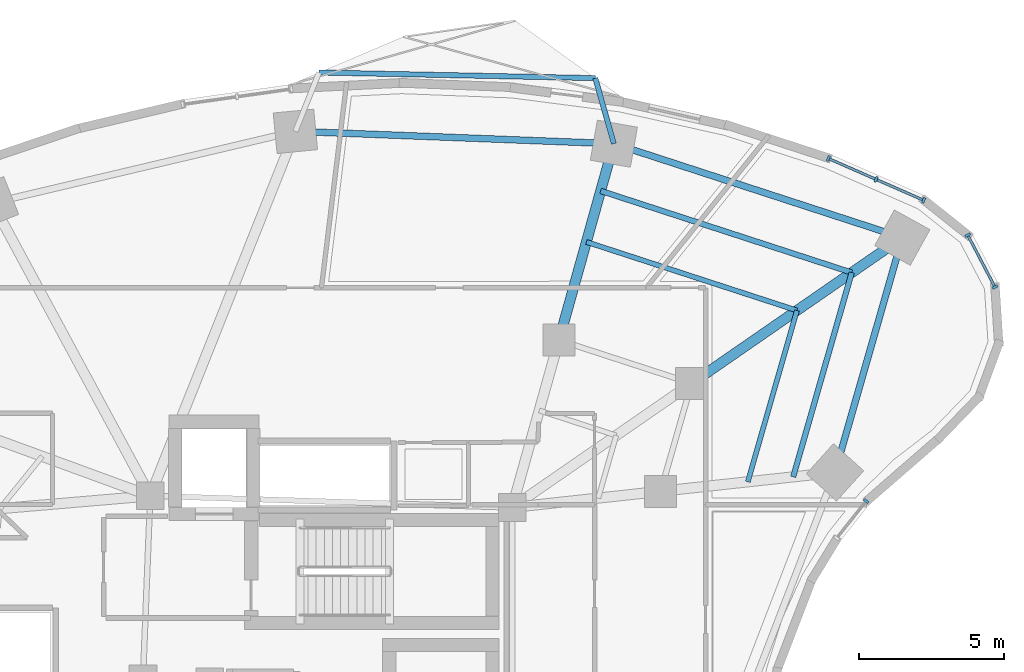
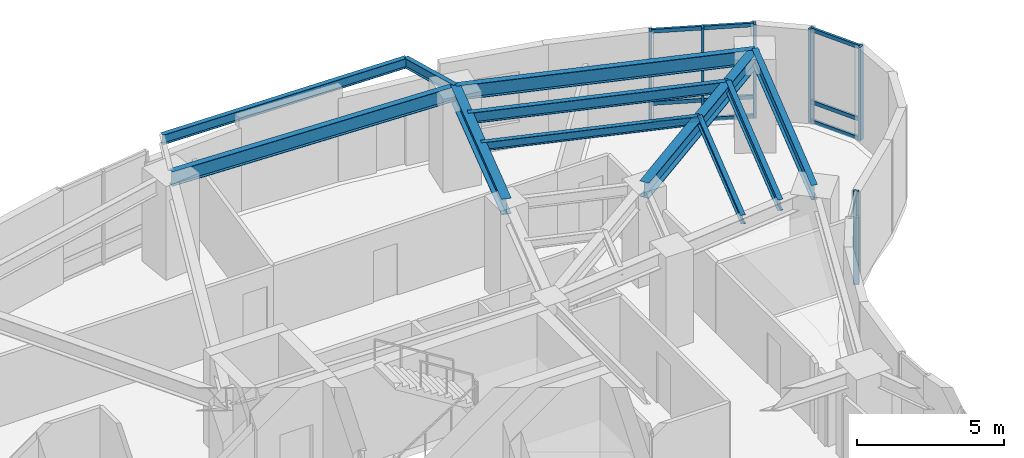
# One storey, part 6 of 16: 15 members, 11 beams, 3 elements without a shape of their own.
"""IFC4 building model written with IfcOpenShell, lengths in metres."""

from ifc_helpers import new_model, si_unit, direction, frame, origin, origin_2d, place, context, subcontext, project, spatial, rectangle, i_section, extrude, material, layer, layer_set, material_profile, profile_set, type_object, element, aggregate, save


model = new_model("IFC4")

# Units and contexts
model_context = context("Model", 3, precision=1e-05, world=origin(), true_north=direction((0.0, 1.0)))
body_context = subcontext(model_context, "Body", "Model", "MODEL_VIEW")
ifc_project = project(units=[si_unit("LENGTHUNIT", "METRE"), si_unit("AREAUNIT", "SQUARE_METRE"), si_unit("VOLUMEUNIT", "CUBIC_METRE"), si_unit("PLANEANGLEUNIT", "RADIAN"), si_unit("MASSUNIT", "GRAM", prefix="KILO")], contexts=[model_context])

# Site, building, storey
site_placement = place(None, origin())
site = spatial("IfcSite", under=ifc_project, at=site_placement, CompositionType="ELEMENT")
building_placement = place(site_placement, origin())
building = spatial("IfcBuilding", under=site, at=building_placement, Name="Korentha Bioscience Tower", CompositionType="ELEMENT")
storey_placement = place(building_placement, frame((0.0, 0.0, 59.39990234375)))
storey = spatial("IfcBuildingStorey", under=building, at=storey_placement, Name="L13", CompositionType="ELEMENT", Elevation=59.39990234375)

# Curtain wall, members
ifc_material_1 = material(Name="Thermally Broken Aluminium Frame", Category="aluminium")
ifc_layer = layer(ifc_material_1, 0.219970703125, Name="Thermally Broken Aluminium Frame")
ifc_layer_set = layer_set([ifc_layer], Name="Thermally Broken Aluminium Frame (CW-T1)")
curtain_wall_type = type_object("IfcCurtainWallType", Name="Standard Bioscience Lab Unitised Curtain Wall CW-T1", PredefinedType="USERDEFINED", material=ifc_layer_set)
curtain_wall_1_placement = place(storey_placement, origin())
curtain_wall_1 = element("IfcCurtainWall", 1, at=curtain_wall_1_placement, inside=storey, type_object=curtain_wall_type, Name="L13 Curtain Wall 01", ObjectType="UNITISED", PredefinedType="USERDEFINED")
ifc_material_2 = material(Name="Anodised Aluminium 6063-T6", Category="aluminium")
ifc_material_profile_1 = material_profile(ifc_material_2, rectangle(XDim=0.090087890625, YDim=0.199951171875, at=origin_2d()), Name="Anodised Aluminium 6063-T6")
ifc_profile_set_1 = profile_set([ifc_material_profile_1], Name="Anodised Aluminium 6063-T6 (CW-MUL)")
member_type_1 = type_object("IfcMemberType", Name="Mullion RECT 90x200", PredefinedType="MULLION", material=ifc_profile_set_1)
member_1_placement = place(storey_placement, frame((51.71337890625, 46.420654296875, 0.0), z_axis=(0.0, 0.0, 1.0), x_axis=(-0.91593909057, 0.401317308828, 0.0)))
member_1 = element("IfcMember", 2, at=member_1_placement, type_object=member_type_1, Name="CW-L13-01 Mullion 1", PredefinedType="MULLION", context=body_context, shape_type="SweptSolid", body=[
    extrude(rectangle(XDim=0.090087890625, YDim=0.199951171875, at=origin_2d()), origin(), (0.0, 0.0, 1.0), 3.900146484375),
])
member_2_placement = place(storey_placement, frame((50.072998046875, 47.139404296875, 0.0), z_axis=(0.0, 0.0, 1.0), x_axis=(-0.91593909057, 0.401317308828, 0.0)))
member_2 = element("IfcMember", 3, at=member_2_placement, type_object=member_type_1, Name="CW-L13-01 Mullion 2", PredefinedType="MULLION", context=body_context, shape_type="SweptSolid", body=[
    extrude(rectangle(XDim=0.090087890625, YDim=0.199951171875, at=origin_2d()), origin(), (0.0, 0.0, 1.0), 3.900146484375),
])
member_3_placement = place(storey_placement, frame((48.43212890625, 47.8583984375, 0.0), z_axis=(0.0, 0.0, 1.0), x_axis=(-0.91593909057, 0.401317308828, 0.0)))
member_3 = element("IfcMember", 4, at=member_3_placement, type_object=member_type_1, Name="CW-L13-01 Mullion 3", PredefinedType="MULLION", context=body_context, shape_type="SweptSolid", body=[
    extrude(rectangle(XDim=0.090087890625, YDim=0.199951171875, at=origin_2d()), origin(), (0.0, 0.0, 1.0), 3.900146484375),
])

# Curtain wall, member
curtain_wall_2_placement = place(storey_placement, origin())
curtain_wall_2 = element("IfcCurtainWall", 5, at=curtain_wall_2_placement, inside=storey, type_object=curtain_wall_type, Name="L13 Curtain Wall 55", ObjectType="UNITISED", PredefinedType="USERDEFINED")
member_4_placement = place(storey_placement, frame((49.73291015625, 36.072021484375, 0.0), z_axis=(0.0, 0.0, 1.0), x_axis=(0.622520324648, 0.782603632371, 0.0)))
member_4 = element("IfcMember", 6, at=member_4_placement, type_object=member_type_1, Name="CW-L13-55 Mullion 2", PredefinedType="MULLION", context=body_context, shape_type="SweptSolid", body=[
    extrude(rectangle(XDim=0.090087890625, YDim=0.199951171875, at=origin_2d()), origin(), (0.0, 0.0, 1.0), 3.900146484375),
])
aggregate(curtain_wall_2, [member_4])

# Curtain wall, members
curtain_wall_3_placement = place(storey_placement, origin())
curtain_wall_3 = element("IfcCurtainWall", 7, at=curtain_wall_3_placement, inside=storey, type_object=curtain_wall_type, Name="L13 Curtain Wall 61", ObjectType="UNITISED", PredefinedType="USERDEFINED")
member_5_placement = place(storey_placement, frame((54.163330078125, 43.435302734375, 0.0), z_axis=(0.0, 0.0, 1.0), x_axis=(-0.463008597697, 0.886353788539, 0.0)))
member_5 = element("IfcMember", 8, at=member_5_placement, type_object=member_type_1, Name="CW-L13-61 Mullion 1", PredefinedType="MULLION", context=body_context, shape_type="SweptSolid", body=[
    extrude(rectangle(XDim=0.090087890625, YDim=0.199951171875, at=origin_2d()), origin(), (0.0, 0.0, 1.0), 3.900146484375),
])
member_6_placement = place(storey_placement, frame((53.22900390625, 45.2236328125, 0.0), z_axis=(0.0, 0.0, 1.0), x_axis=(-0.463008597697, 0.886353788539, 0.0)))
member_6 = element("IfcMember", 9, at=member_6_placement, type_object=member_type_1, Name="CW-L13-61 Mullion 2", PredefinedType="MULLION", context=body_context, shape_type="SweptSolid", body=[
    extrude(rectangle(XDim=0.090087890625, YDim=0.199951171875, at=origin_2d()), origin(), (0.0, 0.0, 1.0), 3.900146484375),
])

# Beams
ifc_material_3 = material(Name="Steel S355", Category="steel")
ifc_material_profile_2 = material_profile(ifc_material_3, i_section(OverallWidth=0.22802734375, OverallDepth=0.60791015625, WebThickness=0.01123046875, FlangeThickness=0.017333984375, at=origin_2d()), Name="Steel S355")
ifc_profile_set_2 = profile_set([ifc_material_profile_2], Name="Steel S355 (SB-610)")
beam_type_1 = type_object("IfcBeamType", Name="Perimeter Ring Spandrel Girder W610x113", PredefinedType="SPANDREL", material=ifc_profile_set_2)
beam_1_placement = place(storey_placement, frame((50.977294921875, 45.135498046875, 3.59619140625), z_axis=(-0.95087511444, 0.309574735305, 0.0), x_axis=(-0.309574735305, -0.95087511444, 0.0)))
element("IfcBeam", 10, at=beam_1_placement, inside=storey, type_object=beam_type_1, Name="L13 Perimeter Spandrel Girder 01", PredefinedType="SPANDREL", context=body_context, shape_type="SweptSolid", body=[
    extrude(i_section(OverallWidth=0.22802734375, OverallDepth=0.60791015625, WebThickness=0.01123046875, FlangeThickness=0.017333984375, at=origin_2d()), origin(), (0.0, 0.0, 1.0), 10.4375),
])
beam_2_placement = place(storey_placement, frame((41.052490234375, 48.36669921875, 3.59619140625), z_axis=(-0.999246003889, 0.03882555488, 0.0), x_axis=(-0.03882555488, -0.999246003889, 0.0)))
element("IfcBeam", 11, at=beam_2_placement, inside=storey, type_object=beam_type_1, Name="L13 Perimeter Spandrel Girder 02", PredefinedType="SPANDREL", context=body_context, shape_type="SweptSolid", body=[
    extrude(i_section(OverallWidth=0.22802734375, OverallDepth=0.60791015625, WebThickness=0.01123046875, FlangeThickness=0.017333984375, at=origin_2d()), origin(), (0.0, 0.0, 1.0), 10.966552734375),
])
beam_3_placement = place(storey_placement, frame((48.661865234375, 37.060791015625, 3.59619140625), z_axis=(0.275642273411, 0.961260285827, 0.0), x_axis=(-0.961260285827, 0.275642273411, 0.0)))
element("IfcBeam", 12, at=beam_3_placement, inside=storey, type_object=beam_type_1, Name="L13 Perimeter Spandrel Girder 16", PredefinedType="SPANDREL", context=body_context, shape_type="SweptSolid", body=[
    extrude(i_section(OverallWidth=0.22802734375, OverallDepth=0.60791015625, WebThickness=0.01123046875, FlangeThickness=0.017333984375, at=origin_2d()), origin(), (0.0, 0.0, 1.0), 8.400146484375),
])
ifc_material_profile_3 = material_profile(ifc_material_3, i_section(OverallWidth=0.18994140625, OverallDepth=0.45703125, WebThickness=0.009033203125, FlangeThickness=0.014404296875, at=origin_2d()), Name="Steel S355")
ifc_profile_set_3 = profile_set([ifc_material_profile_3], Name="Steel S355 (RB-460)")
beam_type_2 = type_object("IfcBeamType", Name="Radial Laboratory Beam W460x74", PredefinedType="BEAM", material=ifc_profile_set_3)
beam_4_placement = place(storey_placement, frame((49.2373046875, 43.931884765625, 3.671630859375), z_axis=(-0.95087437499, 0.309577006554, 0.0), x_axis=(-0.309577006554, -0.95087437499, 0.0)))
element("IfcBeam", 13, at=beam_4_placement, inside=storey, type_object=beam_type_2, Name="L13 Secondary Floor Beam JSTO-01", PredefinedType="BEAM", context=body_context, shape_type="SweptSolid", body=[
    extrude(i_section(OverallWidth=0.18994140625, OverallDepth=0.45703125, WebThickness=0.009033203125, FlangeThickness=0.014404296875, at=origin_2d()), origin(), (0.0, 0.0, 1.0), 9.0849609375),
])
beam_5_placement = place(storey_placement, frame((47.2216796875, 36.90380859375, 3.671630859375), z_axis=(0.275682421415, 0.961248772443, 0.0), x_axis=(-0.961248772443, 0.275682421415, 0.0)))
element("IfcBeam", 14, at=beam_5_placement, inside=storey, type_object=beam_type_2, Name="L13 Secondary Floor Beam JSTO-16", PredefinedType="BEAM", context=body_context, shape_type="SweptSolid", body=[
    extrude(i_section(OverallWidth=0.18994140625, OverallDepth=0.45703125, WebThickness=0.009033203125, FlangeThickness=0.014404296875, at=origin_2d()), origin(), (0.0, 0.0, 1.0), 7.3115234375),
])
ifc_material_profile_4 = material_profile(ifc_material_3, i_section(OverallWidth=0.35009765625, OverallDepth=0.64990234375, WebThickness=0.01611328125, FlangeThickness=0.02490234375, at=origin_2d()), Name="Steel S355")
ifc_profile_set_4 = profile_set([ifc_material_profile_4], Name="Steel S355 (RB-650)")
beam_type_3 = type_object("IfcBeamType", Name="Radial Laboratory Girder CVS 650x208", PredefinedType="BEAM", material=ifc_profile_set_4)
beam_6_placement = place(storey_placement, frame((43.7265625, 40.121337890625, 3.5751953125), z_axis=(0.822488186113, 0.568782193555, 0.0), x_axis=(-0.568782193555, 0.822488186113, 0.0)))
element("IfcBeam", 15, at=beam_6_placement, inside=storey, type_object=beam_type_3, Name="L13 Outer Radial Girder 01", PredefinedType="BEAM", context=body_context, shape_type="SweptSolid", body=[
    extrude(i_section(OverallWidth=0.35009765625, OverallDepth=0.64990234375, WebThickness=0.01611328125, FlangeThickness=0.02490234375, at=origin_2d()), origin(), (0.0, 0.0, 1.0), 8.815673828125),
])
beam_7_placement = place(storey_placement, frame((39.1611328125, 41.607666015625, 3.5751953125), z_axis=(0.269475095129, 0.963007358801, 0.0), x_axis=(-0.963007358801, 0.269475095129, 0.0)))
element("IfcBeam", 16, at=beam_7_placement, inside=storey, type_object=beam_type_3, Name="L13 Outer Radial Girder 02", PredefinedType="BEAM", context=body_context, shape_type="SweptSolid", body=[
    extrude(i_section(OverallWidth=0.35009765625, OverallDepth=0.64990234375, WebThickness=0.01611328125, FlangeThickness=0.02490234375, at=origin_2d()), origin(), (0.0, 0.0, 1.0), 7.0185546875),
])
ifc_material_profile_5 = material_profile(ifc_material_3, i_section(OverallWidth=0.1708984375, OverallDepth=0.35498046875, WebThickness=0.007080078125, FlangeThickness=0.01171875, at=origin_2d()), Name="Steel S355")
ifc_profile_set_5 = profile_set([ifc_material_profile_5], Name="Steel S355 (JB-360)")
beam_type_4 = type_object("IfcBeamType", Name="Secondary Laboratory Joist W360x51", PredefinedType="JOIST", material=ifc_profile_set_5)
beam_8_placement = place(storey_placement, frame((47.35205078125, 42.62841796875, 3.72265625), z_axis=(-0.950870992772, 0.309587394938, 0.0), x_axis=(-0.309587394938, -0.950870992772, 0.0)))
element("IfcBeam", 17, at=beam_8_placement, inside=storey, type_object=beam_type_4, Name="L13 Secondary Floor Beam JST-01", PredefinedType="JOIST", context=body_context, shape_type="SweptSolid", body=[
    extrude(i_section(OverallWidth=0.1708984375, OverallDepth=0.35498046875, WebThickness=0.007080078125, FlangeThickness=0.01171875, at=origin_2d()), origin(), (0.0, 0.0, 1.0), 7.619384765625),
])
beam_9_placement = place(storey_placement, frame((45.66162109375, 36.73388671875, 3.72265625), z_axis=(0.275667500387, 0.96125305161, 0.0), x_axis=(-0.96125305161, 0.275667500387, 0.0)))
element("IfcBeam", 18, at=beam_9_placement, inside=storey, type_object=beam_type_4, Name="L13 Secondary Floor Beam JST-16", PredefinedType="JOIST", context=body_context, shape_type="SweptSolid", body=[
    extrude(i_section(OverallWidth=0.1708984375, OverallDepth=0.35498046875, WebThickness=0.007080078125, FlangeThickness=0.01171875, at=origin_2d()), origin(), (0.0, 0.0, 1.0), 6.132080078125),
])
ifc_material_profile_6 = material_profile(ifc_material_3, i_section(OverallWidth=0.177978515625, OverallDepth=0.406982421875, WebThickness=0.0078125, FlangeThickness=0.0126953125, at=origin_2d()), Name="Steel S355")
ifc_profile_set_6 = profile_set([ifc_material_profile_6], Name="Steel S355 (CB-410)")
beam_type_5 = type_object("IfcBeamType", Name="Sun-Ledge Cantilever Beam W410x60", PredefinedType="BEAM", material=ifc_profile_set_6)
beam_10_placement = place(storey_placement, frame((41.052490234375, 48.36669921875, 3.698486328125), z_axis=(-0.272575265029, 0.962134463001, 0.0), x_axis=(-0.962134463001, -0.272575265029, 0.0)))
element("IfcBeam", 19, at=beam_10_placement, inside=storey, type_object=beam_type_5, Name="L13 Balcony Cantilever Bracket A-L14-01", PredefinedType="BEAM", context=body_context, shape_type="SweptSolid", body=[
    extrude(i_section(OverallWidth=0.177978515625, OverallDepth=0.406982421875, WebThickness=0.0078125, FlangeThickness=0.0126953125, at=origin_2d()), origin(), (0.0, 0.0, 1.0), 2.344970703125),
])
beam_11_placement = place(storey_placement, frame((40.413330078125, 50.622802734375, 3.698486328125), z_axis=(-0.999790533568, 0.020466777676, 0.0), x_axis=(-0.020466777676, -0.999790533568, 0.0)))
element("IfcBeam", 20, at=beam_11_placement, inside=storey, type_object=beam_type_5, Name="L13 Balcony Edge Trimmer Beam L14-01", PredefinedType="BEAM", context=body_context, shape_type="SweptSolid", body=[
    extrude(i_section(OverallWidth=0.177978515625, OverallDepth=0.406982421875, WebThickness=0.0078125, FlangeThickness=0.0126953125, at=origin_2d()), origin(), (0.0, 0.0, 1.0), 9.507080078125),
])

# Member
ifc_material_profile_7 = material_profile(ifc_material_2, rectangle(XDim=0.090087890625, YDim=0.159912109375, at=origin_2d()), Name="Anodised Aluminium 6063-T6")
ifc_profile_set_7 = profile_set([ifc_material_profile_7], Name="Anodised Aluminium 6063-T6 (CW-TRN)")
member_type_2 = type_object("IfcMemberType", Name="Transom RECT 90x160", PredefinedType="USERDEFINED", material=ifc_profile_set_7)
member_7_placement = place(storey_placement, frame((51.67236328125, 46.438720703125, 0.045166015625), z_axis=(-0.915976098914, 0.401232832926, 0.0), x_axis=(-0.401232832926, -0.915976098914, 0.0)))
member_7 = element("IfcMember", 21, at=member_7_placement, type_object=member_type_2, Name="CW-L13-01 Bay 1 Transom 1", ObjectType="TRANSOM", PredefinedType="USERDEFINED", context=body_context, shape_type="SweptSolid", body=[
    extrude(rectangle(XDim=0.090087890625, YDim=0.159912109375, at=origin_2d()), origin(), (0.0, 0.0, 1.0), 1.701416015625),
])

member_8_placement = place(storey_placement, frame((51.67236328125, 46.438720703125, 0.85009765625), z_axis=(-0.915976098914, 0.401232832926, 0.0), x_axis=(-0.401232832926, -0.915976098914, 0.0)))
member_8 = element("IfcMember", 22, at=member_8_placement, type_object=member_type_2, Name="CW-L13-01 Bay 1 Transom 2", ObjectType="TRANSOM", PredefinedType="USERDEFINED", context=body_context, shape_type="SweptSolid", body=[
    extrude(rectangle(XDim=0.090087890625, YDim=0.159912109375, at=origin_2d()), origin(), (0.0, 0.0, 1.0), 1.701416015625),
])

member_9_placement = place(storey_placement, frame((51.67236328125, 46.438720703125, 3.85498046875), z_axis=(-0.915976098914, 0.401232832926, 0.0), x_axis=(-0.401232832926, -0.915976098914, 0.0)))
member_9 = element("IfcMember", 23, at=member_9_placement, type_object=member_type_2, Name="CW-L13-01 Bay 1 Transom 3", ObjectType="TRANSOM", PredefinedType="USERDEFINED", context=body_context, shape_type="SweptSolid", body=[
    extrude(rectangle(XDim=0.090087890625, YDim=0.159912109375, at=origin_2d()), origin(), (0.0, 0.0, 1.0), 1.701416015625),
])

member_10_placement = place(storey_placement, frame((50.031494140625, 47.15771484375, 0.045166015625), z_axis=(-0.915952992218, 0.401285579167, 0.0), x_axis=(-0.401285579167, -0.915952992218, 0.0)))
member_10 = element("IfcMember", 24, at=member_10_placement, type_object=member_type_2, Name="CW-L13-01 Bay 2 Transom 1", ObjectType="TRANSOM", PredefinedType="USERDEFINED", context=body_context, shape_type="SweptSolid", body=[
    extrude(rectangle(XDim=0.090087890625, YDim=0.159912109375, at=origin_2d()), origin(), (0.0, 0.0, 1.0), 1.701171875),
])

member_11_placement = place(storey_placement, frame((50.031494140625, 47.15771484375, 0.85009765625), z_axis=(-0.915952992218, 0.401285579167, 0.0), x_axis=(-0.401285579167, -0.915952992218, 0.0)))
member_11 = element("IfcMember", 25, at=member_11_placement, type_object=member_type_2, Name="CW-L13-01 Bay 2 Transom 2", ObjectType="TRANSOM", PredefinedType="USERDEFINED", context=body_context, shape_type="SweptSolid", body=[
    extrude(rectangle(XDim=0.090087890625, YDim=0.159912109375, at=origin_2d()), origin(), (0.0, 0.0, 1.0), 1.701171875),
])

member_12_placement = place(storey_placement, frame((50.031494140625, 47.15771484375, 3.85498046875), z_axis=(-0.915952992218, 0.401285579167, 0.0), x_axis=(-0.401285579167, -0.915952992218, 0.0)))
member_12 = element("IfcMember", 26, at=member_12_placement, type_object=member_type_2, Name="CW-L13-01 Bay 2 Transom 3", ObjectType="TRANSOM", PredefinedType="USERDEFINED", context=body_context, shape_type="SweptSolid", body=[
    extrude(rectangle(XDim=0.090087890625, YDim=0.159912109375, at=origin_2d()), origin(), (0.0, 0.0, 1.0), 1.701171875),
])

aggregate(curtain_wall_1, [member_1, member_2, member_3, member_7, member_8, member_9, member_10, member_11, member_12])

member_13_placement = place(storey_placement, frame((54.142333984375, 43.47509765625, 0.045166015625), z_axis=(-0.462899248902, 0.886410900974, 0.0), x_axis=(-0.886410900974, -0.462899248902, 0.0)))
member_13 = element("IfcMember", 27, at=member_13_placement, type_object=member_type_2, Name="CW-L13-61 Bay 1 Transom 1", ObjectType="TRANSOM", PredefinedType="USERDEFINED", context=body_context, shape_type="SweptSolid", body=[
    extrude(rectangle(XDim=0.090087890625, YDim=0.159912109375, at=origin_2d()), origin(), (0.0, 0.0, 1.0), 1.927734375),
])

member_14_placement = place(storey_placement, frame((54.142333984375, 43.47509765625, 0.85009765625), z_axis=(-0.462899248902, 0.886410900974, 0.0), x_axis=(-0.886410900974, -0.462899248902, 0.0)))
member_14 = element("IfcMember", 28, at=member_14_placement, type_object=member_type_2, Name="CW-L13-61 Bay 1 Transom 2", ObjectType="TRANSOM", PredefinedType="USERDEFINED", context=body_context, shape_type="SweptSolid", body=[
    extrude(rectangle(XDim=0.090087890625, YDim=0.159912109375, at=origin_2d()), origin(), (0.0, 0.0, 1.0), 1.927734375),
])

member_15_placement = place(storey_placement, frame((54.142333984375, 43.47509765625, 3.85498046875), z_axis=(-0.462899248902, 0.886410900974, 0.0), x_axis=(-0.886410900974, -0.462899248902, 0.0)))
member_15 = element("IfcMember", 29, at=member_15_placement, type_object=member_type_2, Name="CW-L13-61 Bay 1 Transom 3", ObjectType="TRANSOM", PredefinedType="USERDEFINED", context=body_context, shape_type="SweptSolid", body=[
    extrude(rectangle(XDim=0.090087890625, YDim=0.159912109375, at=origin_2d()), origin(), (0.0, 0.0, 1.0), 1.927734375),
])

aggregate(curtain_wall_3, [member_5, member_6, member_13, member_14, member_15])

save(model, "model.ifc")
